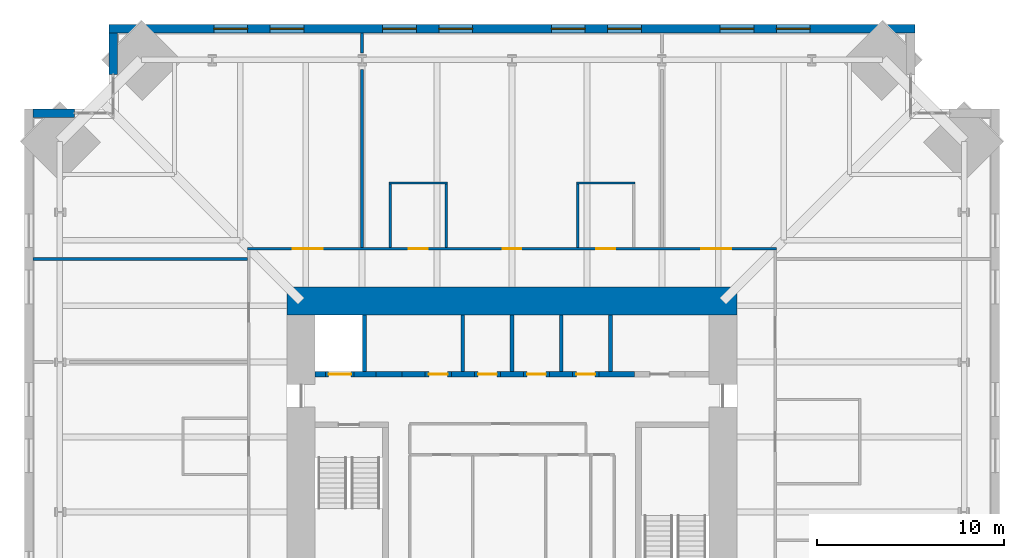
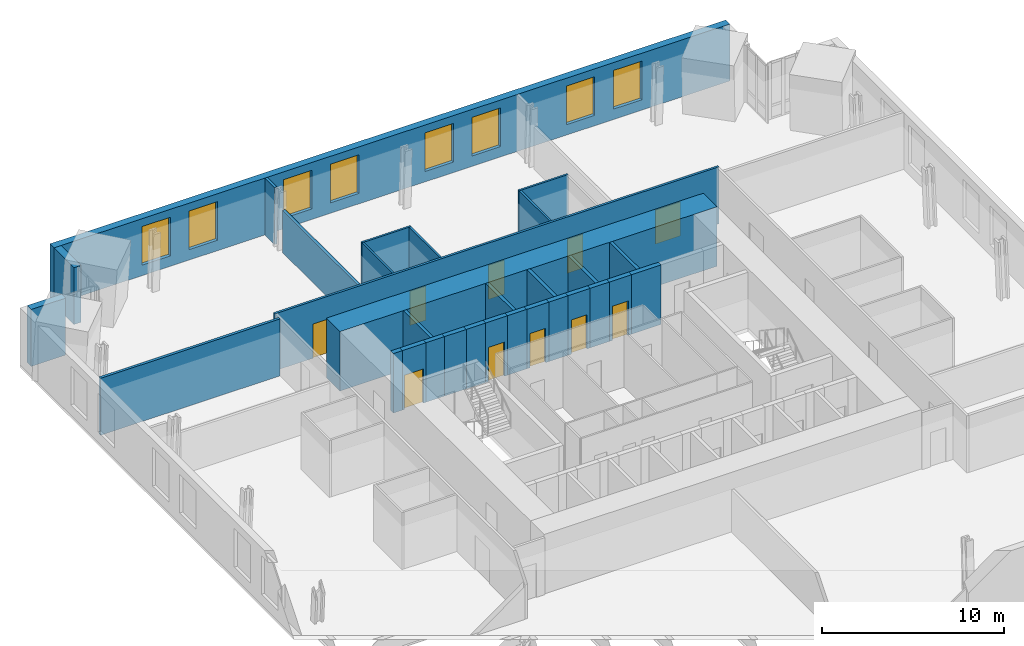
# One storey, part 16 of 18: 31 walls, 10 doors, 8 windows, 18 openings.
"""IFC4 building model written with IfcOpenShell, lengths in metres."""

from ifc_helpers import new_model, si_unit, direction, frame, frame_2d, origin, place, context, subcontext, project, spatial, rectangle, extrude, material, layer, layer_set, type_object, element, fill, save


model = new_model("IFC4")

# Units and contexts
model_context = context("Model", 3, precision=1e-05, world=origin(), true_north=direction((0.0, 1.0)))
body_context = subcontext(model_context, "Body", "Model", "MODEL_VIEW")
ifc_project = project(units=[si_unit("LENGTHUNIT", "METRE"), si_unit("AREAUNIT", "SQUARE_METRE"), si_unit("VOLUMEUNIT", "CUBIC_METRE"), si_unit("PLANEANGLEUNIT", "RADIAN"), si_unit("MASSUNIT", "GRAM", prefix="KILO")], contexts=[model_context])

# Site, building, storey
site_placement = place(None, origin())
site = spatial("IfcSite", under=ifc_project, at=site_placement, CompositionType="ELEMENT")
building_placement = place(site_placement, origin())
building = spatial("IfcBuilding", under=site, at=building_placement, Name="Peilmerk Tower", CompositionType="ELEMENT")
storey_placement = place(building_placement, frame((0.0, 0.0, 167.800048828125)))
storey = spatial("IfcBuildingStorey", under=building, at=storey_placement, Name="L35", CompositionType="ELEMENT", Elevation=167.800048828125)

# Wall, openings, windows
ifc_material_1 = material(Name="Precast concrete C45/55, board-marked finish", Category="concrete")
ifc_layer_1 = layer(ifc_material_1, 0.449951171875)
ifc_layer_set_1 = layer_set([ifc_layer_1], Name="Precast concrete C45/55, board-marked finish")
wall_type_1 = type_object("IfcWallType", Name="EW1 450 precast concrete facade wall, board-marked", PredefinedType="SOLIDWALL", material=ifc_layer_set_1)
wall_1_placement = place(storey_placement, frame((21.5, 25.77490234375, 0.0), z_axis=(0.0, 0.0, 1.0), x_axis=(-1.0, 0.0, 0.0)))
wall_1 = element("IfcWall", 1, at=wall_1_placement, inside=storey, type_object=wall_type_1, Name="Facade wall N L35", PredefinedType="SOLIDWALL", context=body_context, shape_type="SweptSolid", body=[
    extrude(rectangle(XDim=43.0, YDim=0.449951171875, at=frame_2d((21.5, 0.0))), origin(), (0.0, 0.0, 1.0), 3.829833984375),
])
opening_1_placement = place(wall_1_placement, frame((5.60009765625, 0.0, 0.699951171875)))
opening_1 = element("IfcOpeningElement", 2, at=opening_1_placement, cuts=wall_1, Name="Opening W1", PredefinedType="OPENING", context=body_context, shape_type="SweptSolid", body=[
    extrude(rectangle(XDim=1.800048828125, YDim=2.60009765625, at=frame_2d((0.89990234375, 1.300048828125))), frame((0.0, 0.23486328125, 0.0), z_axis=(0.0, -1.0, 0.0), x_axis=(1.0, 0.0, 0.0)), (0.0, 0.0, 1.0), 0.469970703125),
])
opening_2_placement = place(wall_1_placement, frame((8.60009765625, 0.0, 0.699951171875)))
opening_2 = element("IfcOpeningElement", 3, at=opening_2_placement, cuts=wall_1, Name="Opening W1", PredefinedType="OPENING", context=body_context, shape_type="SweptSolid", body=[
    extrude(rectangle(XDim=1.800048828125, YDim=2.60009765625, at=frame_2d((0.89990234375, 1.300048828125))), frame((0.0, 0.23486328125, 0.0), z_axis=(0.0, -1.0, 0.0), x_axis=(1.0, 0.0, 0.0)), (0.0, 0.0, 1.0), 0.469970703125),
])
opening_3_placement = place(wall_1_placement, frame((14.60009765625, 0.0, 0.699951171875)))
opening_3 = element("IfcOpeningElement", 4, at=opening_3_placement, cuts=wall_1, Name="Opening W1", PredefinedType="OPENING", context=body_context, shape_type="SweptSolid", body=[
    extrude(rectangle(XDim=1.800048828125, YDim=2.60009765625, at=frame_2d((0.89990234375, 1.300048828125))), frame((0.0, 0.23486328125, 0.0), z_axis=(0.0, -1.0, 0.0), x_axis=(1.0, 0.0, 0.0)), (0.0, 0.0, 1.0), 0.469970703125),
])
opening_4_placement = place(wall_1_placement, frame((17.60009765625, 0.0, 0.699951171875)))
opening_4 = element("IfcOpeningElement", 5, at=opening_4_placement, cuts=wall_1, Name="Opening W1", PredefinedType="OPENING", context=body_context, shape_type="SweptSolid", body=[
    extrude(rectangle(XDim=1.800048828125, YDim=2.60009765625, at=frame_2d((0.89990234375, 1.300048828125))), frame((0.0, 0.23486328125, 0.0), z_axis=(0.0, -1.0, 0.0), x_axis=(1.0, 0.0, 0.0)), (0.0, 0.0, 1.0), 0.469970703125),
])
opening_5_placement = place(wall_1_placement, frame((23.60009765625, 0.0, 0.699951171875)))
opening_5 = element("IfcOpeningElement", 6, at=opening_5_placement, cuts=wall_1, Name="Opening W1", PredefinedType="OPENING", context=body_context, shape_type="SweptSolid", body=[
    extrude(rectangle(XDim=1.800048828125, YDim=2.60009765625, at=frame_2d((0.89990234375, 1.300048828125))), frame((0.0, 0.23486328125, 0.0), z_axis=(0.0, -1.0, 0.0), x_axis=(1.0, 0.0, 0.0)), (0.0, 0.0, 1.0), 0.469970703125),
])
opening_6_placement = place(wall_1_placement, frame((26.60009765625, 0.0, 0.699951171875)))
opening_6 = element("IfcOpeningElement", 7, at=opening_6_placement, cuts=wall_1, Name="Opening W1", PredefinedType="OPENING", context=body_context, shape_type="SweptSolid", body=[
    extrude(rectangle(XDim=1.800048828125, YDim=2.60009765625, at=frame_2d((0.89990234375, 1.300048828125))), frame((0.0, 0.23486328125, 0.0), z_axis=(0.0, -1.0, 0.0), x_axis=(1.0, 0.0, 0.0)), (0.0, 0.0, 1.0), 0.469970703125),
])
opening_7_placement = place(wall_1_placement, frame((32.60009765625, 0.0, 0.699951171875)))
opening_7 = element("IfcOpeningElement", 8, at=opening_7_placement, cuts=wall_1, Name="Opening W1", PredefinedType="OPENING", context=body_context, shape_type="SweptSolid", body=[
    extrude(rectangle(XDim=1.800048828125, YDim=2.60009765625, at=frame_2d((0.89990234375, 1.300048828125))), frame((0.0, 0.23486328125, 0.0), z_axis=(0.0, -1.0, 0.0), x_axis=(1.0, 0.0, 0.0)), (0.0, 0.0, 1.0), 0.469970703125),
])
opening_8_placement = place(wall_1_placement, frame((35.60009765625, 0.0, 0.699951171875)))
opening_8 = element("IfcOpeningElement", 9, at=opening_8_placement, cuts=wall_1, Name="Opening W1", PredefinedType="OPENING", context=body_context, shape_type="SweptSolid", body=[
    extrude(rectangle(XDim=1.800048828125, YDim=2.60009765625, at=frame_2d((0.89990234375, 1.300048828125))), frame((0.0, 0.23486328125, 0.0), z_axis=(0.0, -1.0, 0.0), x_axis=(1.0, 0.0, 0.0)), (0.0, 0.0, 1.0), 0.469970703125),
])
ifc_material_2 = material(Name="Aluminium frame, clear double glazing", Category="aluminium")
window_type = type_object("IfcWindowType", Name="W1 1800x2600 office window", PartitioningType="SINGLE_PANEL", PredefinedType="WINDOW", material=ifc_material_2)
window_1_placement = place(opening_1_placement, origin())
window_1 = element("IfcWindow", 10, at=window_1_placement, inside=storey, type_object=window_type, Name="Window W1 L35", OverallHeight=2.60009765625, OverallWidth=1.800048828125, PartitioningType="SINGLE_PANEL", PredefinedType="WINDOW", context=body_context, shape_type="SweptSolid", body=[
    extrude(rectangle(XDim=1.800048828125, YDim=2.60009765625, at=frame_2d((0.89990234375, 1.300048828125))), frame((0.0, 0.030029296875, 0.0), z_axis=(0.0, -1.0, 0.0), x_axis=(1.0, 0.0, 0.0)), (0.0, 0.0, 1.0), 0.06005859375),
])
fill(opening_1, window_1)
window_2_placement = place(opening_2_placement, origin())
window_2 = element("IfcWindow", 11, at=window_2_placement, inside=storey, type_object=window_type, Name="Window W1 L35", OverallHeight=2.60009765625, OverallWidth=1.800048828125, PartitioningType="SINGLE_PANEL", PredefinedType="WINDOW", context=body_context, shape_type="SweptSolid", body=[
    extrude(rectangle(XDim=1.800048828125, YDim=2.60009765625, at=frame_2d((0.89990234375, 1.300048828125))), frame((0.0, 0.030029296875, 0.0), z_axis=(0.0, -1.0, 0.0), x_axis=(1.0, 0.0, 0.0)), (0.0, 0.0, 1.0), 0.06005859375),
])
fill(opening_2, window_2)
window_3_placement = place(opening_3_placement, origin())
window_3 = element("IfcWindow", 12, at=window_3_placement, inside=storey, type_object=window_type, Name="Window W1 L35", OverallHeight=2.60009765625, OverallWidth=1.800048828125, PartitioningType="SINGLE_PANEL", PredefinedType="WINDOW", context=body_context, shape_type="SweptSolid", body=[
    extrude(rectangle(XDim=1.800048828125, YDim=2.60009765625, at=frame_2d((0.89990234375, 1.300048828125))), frame((0.0, 0.030029296875, 0.0), z_axis=(0.0, -1.0, 0.0), x_axis=(1.0, 0.0, 0.0)), (0.0, 0.0, 1.0), 0.06005859375),
])
fill(opening_3, window_3)
window_4_placement = place(opening_4_placement, origin())
window_4 = element("IfcWindow", 13, at=window_4_placement, inside=storey, type_object=window_type, Name="Window W1 L35", OverallHeight=2.60009765625, OverallWidth=1.800048828125, PartitioningType="SINGLE_PANEL", PredefinedType="WINDOW", context=body_context, shape_type="SweptSolid", body=[
    extrude(rectangle(XDim=1.800048828125, YDim=2.60009765625, at=frame_2d((0.89990234375, 1.300048828125))), frame((0.0, 0.030029296875, 0.0), z_axis=(0.0, -1.0, 0.0), x_axis=(1.0, 0.0, 0.0)), (0.0, 0.0, 1.0), 0.06005859375),
])
fill(opening_4, window_4)
window_5_placement = place(opening_5_placement, origin())
window_5 = element("IfcWindow", 14, at=window_5_placement, inside=storey, type_object=window_type, Name="Window W1 L35", OverallHeight=2.60009765625, OverallWidth=1.800048828125, PartitioningType="SINGLE_PANEL", PredefinedType="WINDOW", context=body_context, shape_type="SweptSolid", body=[
    extrude(rectangle(XDim=1.800048828125, YDim=2.60009765625, at=frame_2d((0.89990234375, 1.300048828125))), frame((0.0, 0.030029296875, 0.0), z_axis=(0.0, -1.0, 0.0), x_axis=(1.0, 0.0, 0.0)), (0.0, 0.0, 1.0), 0.06005859375),
])
fill(opening_5, window_5)
window_6_placement = place(opening_6_placement, origin())
window_6 = element("IfcWindow", 15, at=window_6_placement, inside=storey, type_object=window_type, Name="Window W1 L35", OverallHeight=2.60009765625, OverallWidth=1.800048828125, PartitioningType="SINGLE_PANEL", PredefinedType="WINDOW", context=body_context, shape_type="SweptSolid", body=[
    extrude(rectangle(XDim=1.800048828125, YDim=2.60009765625, at=frame_2d((0.89990234375, 1.300048828125))), frame((0.0, 0.030029296875, 0.0), z_axis=(0.0, -1.0, 0.0), x_axis=(1.0, 0.0, 0.0)), (0.0, 0.0, 1.0), 0.06005859375),
])
fill(opening_6, window_6)
window_7_placement = place(opening_7_placement, origin())
window_7 = element("IfcWindow", 16, at=window_7_placement, inside=storey, type_object=window_type, Name="Window W1 L35", OverallHeight=2.60009765625, OverallWidth=1.800048828125, PartitioningType="SINGLE_PANEL", PredefinedType="WINDOW", context=body_context, shape_type="SweptSolid", body=[
    extrude(rectangle(XDim=1.800048828125, YDim=2.60009765625, at=frame_2d((0.89990234375, 1.300048828125))), frame((0.0, 0.030029296875, 0.0), z_axis=(0.0, -1.0, 0.0), x_axis=(1.0, 0.0, 0.0)), (0.0, 0.0, 1.0), 0.06005859375),
])
fill(opening_7, window_7)
window_8_placement = place(opening_8_placement, origin())
window_8 = element("IfcWindow", 17, at=window_8_placement, inside=storey, type_object=window_type, Name="Window W1 L35", OverallHeight=2.60009765625, OverallWidth=1.800048828125, PartitioningType="SINGLE_PANEL", PredefinedType="WINDOW", context=body_context, shape_type="SweptSolid", body=[
    extrude(rectangle(XDim=1.800048828125, YDim=2.60009765625, at=frame_2d((0.89990234375, 1.300048828125))), frame((0.0, 0.030029296875, 0.0), z_axis=(0.0, -1.0, 0.0), x_axis=(1.0, 0.0, 0.0)), (0.0, 0.0, 1.0), 0.06005859375),
])
fill(opening_8, window_8)

# Walls
for number, where, z_axis, x_axis, name in (
    (18, (-21.27490234375, 23.353759765625, 0.0), (0.0, 0.0, 1.0), (0.0, 1.0, 0.0), "Facade wall NWA L35"),
    (19, (-23.353759765625, 21.27490234375, 0.0), (0.0, 0.0, 1.0), (-1.0, 0.0, 0.0), "Facade wall NWB L35"),
):
    element("IfcWall", number, at=place(storey_placement, frame(where, z_axis=z_axis, x_axis=x_axis)), inside=storey, type_object=wall_type_1, Name=name, PredefinedType="SOLIDWALL", context=body_context, shape_type="SweptSolid", body=[
        extrude(rectangle(XDim=2.1962890625, YDim=0.449951171875, at=frame_2d((1.09814453125, 0.0))), origin(), (0.0, 0.0, 1.0), 3.829833984375),
    ])

# Wall, openings, doors
ifc_material_3 = material(Name="Calcium silicate block", Category="masonry")
ifc_layer_2 = layer(ifc_material_3, 0.14990234375)
ifc_layer_set_2 = layer_set([ifc_layer_2], Name="Calcium silicate block")
wall_type_2 = type_object("IfcWallType", Name="IW1 150 corridor partition, EI 60", PredefinedType="PARTITIONING", material=ifc_layer_set_2)
wall_2_placement = place(storey_placement, frame((-14.125, 14.050048828125, 0.0), z_axis=(0.0, 0.0, 1.0), x_axis=(1.0, 0.0, 0.0)))
wall_2 = element("IfcWall", 20, at=wall_2_placement, inside=storey, type_object=wall_type_2, Name="Corridor wall N L35", PredefinedType="PARTITIONING", context=body_context, shape_type="SweptSolid", body=[
    extrude(rectangle(XDim=28.25, YDim=0.14990234375, at=frame_2d((14.125, 0.0))), origin(), (0.0, 0.0, 1.0), 3.829833984375),
])
opening_9_placement = place(wall_2_placement, frame((2.425048828125, 0.0, 0.0)))
opening_9 = element("IfcOpeningElement", 21, at=opening_9_placement, cuts=wall_2, Name="Opening D9", PredefinedType="OPENING", context=body_context, shape_type="SweptSolid", body=[
    extrude(rectangle(XDim=1.60009765625, YDim=2.300048828125, at=frame_2d((0.800048828125, 1.14990234375))), frame((0.0, 0.0849609375, 0.0), z_axis=(0.0, -1.0, 0.0), x_axis=(1.0, 0.0, 0.0)), (0.0, 0.0, 1.0), 0.169921875),
])
opening_10_placement = place(wall_2_placement, frame((13.625, 0.0, 0.0)))
opening_10 = element("IfcOpeningElement", 22, at=opening_10_placement, cuts=wall_2, Name="Opening D1", PredefinedType="OPENING", context=body_context, shape_type="SweptSolid", body=[
    extrude(rectangle(XDim=1.0, YDim=2.300048828125, at=frame_2d((0.5, 1.14990234375))), frame((0.0, 0.0849609375, 0.0), z_axis=(0.0, -1.0, 0.0), x_axis=(1.0, 0.0, 0.0)), (0.0, 0.0, 1.0), 0.169921875),
])
opening_11_placement = place(wall_2_placement, frame((24.22509765625, 0.0, 0.0)))
opening_11 = element("IfcOpeningElement", 23, at=opening_11_placement, cuts=wall_2, Name="Opening D9", PredefinedType="OPENING", context=body_context, shape_type="SweptSolid", body=[
    extrude(rectangle(XDim=1.60009765625, YDim=2.300048828125, at=frame_2d((0.800048828125, 1.14990234375))), frame((0.0, 0.0849609375, 0.0), z_axis=(0.0, -1.0, 0.0), x_axis=(1.0, 0.0, 0.0)), (0.0, 0.0, 1.0), 0.169921875),
])
opening_12_placement = place(wall_2_placement, frame((8.625, 0.0, 0.0)))
opening_12 = element("IfcOpeningElement", 24, at=opening_12_placement, cuts=wall_2, Name="Opening D1", PredefinedType="OPENING", context=body_context, shape_type="SweptSolid", body=[
    extrude(rectangle(XDim=1.0, YDim=2.300048828125, at=frame_2d((0.5, 1.14990234375))), frame((0.0, 0.0849609375, 0.0), z_axis=(0.0, -1.0, 0.0), x_axis=(1.0, 0.0, 0.0)), (0.0, 0.0, 1.0), 0.169921875),
])
opening_13_placement = place(wall_2_placement, frame((18.625, 0.0, 0.0)))
opening_13 = element("IfcOpeningElement", 25, at=opening_13_placement, cuts=wall_2, Name="Opening D1", PredefinedType="OPENING", context=body_context, shape_type="SweptSolid", body=[
    extrude(rectangle(XDim=1.0, YDim=2.300048828125, at=frame_2d((0.5, 1.14990234375))), frame((0.0, 0.0849609375, 0.0), z_axis=(0.0, -1.0, 0.0), x_axis=(1.0, 0.0, 0.0)), (0.0, 0.0, 1.0), 0.169921875),
])
ifc_material_4 = material(Name="Timber door in steel frame", Category="steel")
door_type_1 = type_object("IfcDoorType", Name="D1 1000x2300 room door, EI2 30", OperationType="SINGLE_SWING_LEFT", PredefinedType="DOOR", material=ifc_material_4)
door_1_placement = place(opening_10_placement, origin())
door_1 = element("IfcDoor", 26, at=door_1_placement, inside=storey, type_object=door_type_1, Name="Door Project room L35", OperationType="SINGLE_SWING_LEFT", OverallHeight=2.300048828125, OverallWidth=1.0, PredefinedType="DOOR", context=body_context, shape_type="SweptSolid", body=[
    extrude(rectangle(XDim=1.0, YDim=2.300048828125, at=frame_2d((0.5, 1.14990234375))), frame((0.0, 0.02490234375, 0.0), z_axis=(0.0, -1.0, 0.0), x_axis=(1.0, 0.0, 0.0)), (0.0, 0.0, 1.0), 0.050048828125),
])
fill(opening_10, door_1)
door_2_placement = place(opening_12_placement, origin())
door_2 = element("IfcDoor", 27, at=door_2_placement, inside=storey, type_object=door_type_1, Name="Door Focus room L35", OperationType="SINGLE_SWING_LEFT", OverallHeight=2.300048828125, OverallWidth=1.0, PredefinedType="DOOR", context=body_context, shape_type="SweptSolid", body=[
    extrude(rectangle(XDim=1.0, YDim=2.300048828125, at=frame_2d((0.5, 1.14990234375))), frame((0.0, 0.02490234375, 0.0), z_axis=(0.0, -1.0, 0.0), x_axis=(1.0, 0.0, 0.0)), (0.0, 0.0, 1.0), 0.050048828125),
])
fill(opening_12, door_2)
door_3_placement = place(opening_13_placement, origin())
door_3 = element("IfcDoor", 28, at=door_3_placement, inside=storey, type_object=door_type_1, Name="Door Focus room L35", OperationType="SINGLE_SWING_LEFT", OverallHeight=2.300048828125, OverallWidth=1.0, PredefinedType="DOOR", context=body_context, shape_type="SweptSolid", body=[
    extrude(rectangle(XDim=1.0, YDim=2.300048828125, at=frame_2d((0.5, 1.14990234375))), frame((0.0, 0.02490234375, 0.0), z_axis=(0.0, -1.0, 0.0), x_axis=(1.0, 0.0, 0.0)), (0.0, 0.0, 1.0), 0.050048828125),
])
fill(opening_13, door_3)
ifc_material_5 = material(Name="Glazed timber door in steel frame", Category="steel")
door_type_2 = type_object("IfcDoorType", Name="D9 1600x2300 glazed double door, EI2 30", OperationType="DOUBLE_DOOR_SINGLE_SWING", PredefinedType="DOOR", material=ifc_material_5)
door_4_placement = place(opening_9_placement, origin())
door_4 = element("IfcDoor", 29, at=door_4_placement, inside=storey, type_object=door_type_2, Name="Door Open workspace L35", OperationType="DOUBLE_DOOR_SINGLE_SWING", OverallHeight=2.300048828125, OverallWidth=1.60009765625, PredefinedType="DOOR", context=body_context, shape_type="SweptSolid", body=[
    extrude(rectangle(XDim=1.60009765625, YDim=2.300048828125, at=frame_2d((0.800048828125, 1.14990234375))), frame((0.0, 0.02490234375, 0.0), z_axis=(0.0, -1.0, 0.0), x_axis=(1.0, 0.0, 0.0)), (0.0, 0.0, 1.0), 0.050048828125),
])
fill(opening_9, door_4)
door_5_placement = place(opening_11_placement, origin())
door_5 = element("IfcDoor", 30, at=door_5_placement, inside=storey, type_object=door_type_2, Name="Door Open workspace L35", OperationType="DOUBLE_DOOR_SINGLE_SWING", OverallHeight=2.300048828125, OverallWidth=1.60009765625, PredefinedType="DOOR", context=body_context, shape_type="SweptSolid", body=[
    extrude(rectangle(XDim=1.60009765625, YDim=2.300048828125, at=frame_2d((0.800048828125, 1.14990234375))), frame((0.0, 0.02490234375, 0.0), z_axis=(0.0, -1.0, 0.0), x_axis=(1.0, 0.0, 0.0)), (0.0, 0.0, 1.0), 0.050048828125),
])
fill(opening_11, door_5)

# Walls
ifc_material_6 = material(Name="Plasterboard on steel studs, double boarded with mineral wool", Category="steel")
ifc_layer_3 = layer(ifc_material_6, 0.125)
ifc_layer_set_3 = layer_set([ifc_layer_3], Name="Plasterboard on steel studs, double boarded with mineral wool")
wall_type_3 = type_object("IfcWallType", Name="IW7 125 acoustic partition, EI 30", PredefinedType="PARTITIONING", material=ifc_layer_set_3)
wall_3_placement = place(storey_placement, frame((-6.5625, 17.550048828125, 0.0), z_axis=(0.0, 0.0, 1.0), x_axis=(1.0, 0.0, 0.0)))
element("IfcWall", 31, at=wall_3_placement, inside=storey, type_object=wall_type_3, Name="Acoustic partition Focus room L35", PredefinedType="PARTITIONING", context=body_context, shape_type="SweptSolid", body=[
    extrude(rectangle(XDim=3.125, YDim=0.125, at=frame_2d((1.5625, 0.0))), origin(), (0.0, 0.0, 1.0), 3.829833984375),
])
for number, where, z_axis, x_axis, name in (
    (32, (-6.5, 14.125, 0.0), (0.0, 0.0, 1.0), (0.0, 1.0, 0.0), "Acoustic partition Focus room L35"),
    (33, (-3.5, 14.125, 0.0), (0.0, 0.0, 1.0), (0.0, 1.0, 0.0), "Acoustic partition Focus room L35"),
):
    element("IfcWall", number, at=place(storey_placement, frame(where, z_axis=z_axis, x_axis=x_axis)), inside=storey, type_object=wall_type_3, Name=name, PredefinedType="PARTITIONING", context=body_context, shape_type="SweptSolid", body=[
        extrude(rectangle(XDim=3.362548828125, YDim=0.125, at=frame_2d((1.68115234375, 0.0))), origin(), (0.0, 0.0, 1.0), 3.829833984375),
    ])
wall_4_placement = place(storey_placement, frame((3.4375, 17.550048828125, 0.0), z_axis=(0.0, 0.0, 1.0), x_axis=(1.0, 0.0, 0.0)))
element("IfcWall", 34, at=wall_4_placement, inside=storey, type_object=wall_type_3, Name="Acoustic partition Focus room L35", PredefinedType="PARTITIONING", context=body_context, shape_type="SweptSolid", body=[
    extrude(rectangle(XDim=3.125, YDim=0.125, at=frame_2d((1.5625, 0.0))), origin(), (0.0, 0.0, 1.0), 3.829833984375),
])
wall_5_placement = place(storey_placement, frame((3.5, 14.125, 0.0), z_axis=(0.0, 0.0, 1.0), x_axis=(0.0, 1.0, 0.0)))
element("IfcWall", 35, at=wall_5_placement, inside=storey, type_object=wall_type_3, Name="Acoustic partition Focus room L35", PredefinedType="PARTITIONING", context=body_context, shape_type="SweptSolid", body=[
    extrude(rectangle(XDim=3.362548828125, YDim=0.125, at=frame_2d((1.68115234375, 0.0))), origin(), (0.0, 0.0, 1.0), 3.829833984375),
])
ifc_layer_4 = layer(ifc_material_3, 0.175048828125)
ifc_layer_set_4 = layer_set([ifc_layer_4], Name="Calcium silicate block")
wall_type_4 = type_object("IfcWallType", Name="IW8 175 tenant separating wall, EI 60", PredefinedType="PARTITIONING", material=ifc_layer_set_4)
wall_6_placement = place(storey_placement, frame((-25.550048828125, 13.5, 0.0), z_axis=(0.0, 0.0, 1.0), x_axis=(1.0, 0.0, 0.0)))
element("IfcWall", 36, at=wall_6_placement, inside=storey, type_object=wall_type_4, Name="Tenant separating wall NW L35", PredefinedType="PARTITIONING", context=body_context, shape_type="SweptSolid", body=[
    extrude(rectangle(XDim=11.425048828125, YDim=0.175048828125, at=frame_2d((5.71240234375, 0.0))), origin(), (0.0, 0.0, 1.0), 3.829833984375),
])
wall_7_placement = place(storey_placement, frame((-8.0, 14.125, 0.0), z_axis=(0.0, 0.0, 1.0), x_axis=(0.0, 1.0, 0.0)))
element("IfcWall", 37, at=wall_7_placement, inside=storey, type_object=wall_type_4, Name="Tenant separating wall N1 L35", PredefinedType="PARTITIONING", context=body_context, shape_type="SweptSolid", body=[
    extrude(rectangle(XDim=9.48046875, YDim=0.175048828125, at=frame_2d((4.740234375, 0.0))), origin(), (0.0, 0.0, 1.0), 2.83984375),
])
wall_8_placement = place(storey_placement, frame((-8.0, 24.49462890625, 0.0), z_axis=(0.0, 0.0, 1.0), x_axis=(0.0, 1.0, 0.0)))
element("IfcWall", 38, at=wall_8_placement, inside=storey, type_object=wall_type_4, Name="Tenant separating wall N1b L35", PredefinedType="PARTITIONING", context=body_context, shape_type="SweptSolid", body=[
    extrude(rectangle(XDim=1.055419921875, YDim=0.175048828125, at=frame_2d((0.52783203125, 0.0))), origin(), (0.0, 0.0, 1.0), 3.829833984375),
])
ifc_layer_5 = layer(ifc_material_3, 0.199951171875)
ifc_layer_set_5 = layer_set([ifc_layer_5], Name="Calcium silicate block")
wall_type_5 = type_object("IfcWallType", Name="SH1 200 shaft dividing wall, EI 120", PredefinedType="PARTITIONING", material=ifc_layer_set_5)
for number, where, z_axis, x_axis, name in (
    (39, (-7.875, 7.5, 0.0), (0.0, 0.0, 1.0), (0.0, 1.0, 0.0), "Shaft wall N FL1 L35"),
    (40, (-2.625, 7.5, 0.0), (0.0, 0.0, 1.0), (0.0, 1.0, 0.0), "Shaft wall N A2 L35"),
    (41, (0.0, 7.5, 0.0), (0.0, 0.0, 1.0), (0.0, 1.0, 0.0), "Shaft wall N A3 L35"),
    (42, (2.625, 7.5, 0.0), (0.0, 0.0, 1.0), (0.0, 1.0, 0.0), "Shaft wall N S1 L35"),
    (43, (5.25, 7.5, 0.0), (0.0, 0.0, 1.0), (0.0, 1.0, 0.0), "Shaft wall N S2 L35"),
):
    element("IfcWall", number, at=place(storey_placement, frame(where, z_axis=z_axis, x_axis=x_axis)), inside=storey, type_object=wall_type_5, Name=name, PredefinedType="PARTITIONING", context=body_context, shape_type="SweptSolid", body=[
        extrude(rectangle(XDim=3.0, YDim=0.199951171875, at=frame_2d((1.5, 0.0))), origin(), (0.0, 0.0, 1.0), 4.0),
    ])

# Wall, opening, door
ifc_layer_6 = layer(ifc_material_3, 0.300048828125)
ifc_layer_set_6 = layer_set([ifc_layer_6], Name="Calcium silicate block")
wall_type_6 = type_object("IfcWallType", Name="SH2 300 lift landing door panel, EI 120", PredefinedType="PARTITIONING", material=ifc_layer_set_6)
wall_9_placement = place(storey_placement, frame((-9.9375, 7.35009765625, 0.0), z_axis=(0.0, 0.0, 1.0), x_axis=(1.0, 0.0, 0.0)))
wall_9 = element("IfcWall", 44, at=wall_9_placement, inside=storey, type_object=wall_type_6, Name="Lift door panel N FL1 L35", PredefinedType="PARTITIONING", context=body_context, shape_type="SweptSolid", body=[
    extrude(rectangle(XDim=1.5, YDim=0.300048828125, at=frame_2d((0.75, 0.0))), origin(), (0.0, 0.0, 1.0), 4.0),
])
opening_14_placement = place(wall_9_placement, frame((0.14990234375, 0.0, 0.0)))
opening_14 = element("IfcOpeningElement", 45, at=opening_14_placement, cuts=wall_9, Name="Opening LD2", PredefinedType="OPENING", context=body_context, shape_type="SweptSolid", body=[
    extrude(rectangle(XDim=1.199951171875, YDim=2.300048828125, at=frame_2d((0.60009765625, 1.14990234375))), frame((0.0, 0.159912109375, 0.0), z_axis=(0.0, -1.0, 0.0), x_axis=(1.0, 0.0, 0.0)), (0.0, 0.0, 1.0), 0.320068359375),
])
ifc_material_7 = material(Name="Stainless steel landing door", Category="steel")
door_type_3 = type_object("IfcDoorType", Name="LD2 1200x2300 lift landing door, sliding, EI2 60", OperationType="SLIDING_TO_LEFT", PredefinedType="DOOR", material=ifc_material_7)
door_6_placement = place(opening_14_placement, frame((1.199951171875, 0.0, 0.0), z_axis=(0.0, 0.0, 1.0), x_axis=(-1.0, 0.0, 0.0)))
door_6 = element("IfcDoor", 46, at=door_6_placement, inside=storey, type_object=door_type_3, Name="Lift landing door FL1 L35", OperationType="SLIDING_TO_LEFT", OverallHeight=2.300048828125, OverallWidth=1.199951171875, PredefinedType="DOOR", context=body_context, shape_type="SweptSolid", body=[
    extrude(rectangle(XDim=1.199951171875, YDim=2.300048828125, at=frame_2d((0.60009765625, 1.14990234375))), frame((0.0, 0.02490234375, 0.0), z_axis=(0.0, -1.0, 0.0), x_axis=(1.0, 0.0, 0.0)), (0.0, 0.0, 1.0), 0.050048828125),
])
fill(opening_14, door_6)

# Wall
wall_10_placement = place(storey_placement, frame((-7.262451171875, 7.35009765625, 0.0), z_axis=(0.0, 0.0, 1.0), x_axis=(1.0, 0.0, 0.0)))
element("IfcWall", 47, at=wall_10_placement, inside=storey, type_object=wall_type_6, Name="Lift door panel N A1 L35", PredefinedType="PARTITIONING", context=body_context, shape_type="SweptSolid", body=[
    extrude(rectangle(XDim=1.39990234375, YDim=0.300048828125, at=frame_2d((0.699951171875, 0.0))), origin(), (0.0, 0.0, 1.0), 4.0),
])

# Wall, opening, door
wall_11_placement = place(storey_placement, frame((-4.637451171875, 7.35009765625, 0.0), z_axis=(0.0, 0.0, 1.0), x_axis=(1.0, 0.0, 0.0)))
wall_11 = element("IfcWall", 48, at=wall_11_placement, inside=storey, type_object=wall_type_6, Name="Lift door panel N A2 L35", PredefinedType="PARTITIONING", context=body_context, shape_type="SweptSolid", body=[
    extrude(rectangle(XDim=1.39990234375, YDim=0.300048828125, at=frame_2d((0.699951171875, 0.0))), origin(), (0.0, 0.0, 1.0), 4.0),
])
opening_15_placement = place(wall_11_placement, frame((0.199951171875, 0.0, 0.0)))
opening_15 = element("IfcOpeningElement", 49, at=opening_15_placement, cuts=wall_11, Name="Opening D10", PredefinedType="OPENING", context=body_context, shape_type="SweptSolid", body=[
    extrude(rectangle(XDim=1.0, YDim=2.300048828125, at=frame_2d((0.5, 1.14990234375))), frame((0.0, 0.159912109375, 0.0), z_axis=(0.0, -1.0, 0.0), x_axis=(1.0, 0.0, 0.0)), (0.0, 0.0, 1.0), 0.320068359375),
])
ifc_material_8 = material(Name="Steel door in steel frame", Category="steel")
door_type_4 = type_object("IfcDoorType", Name="D10 1000x2300 core room door, EI2 60", OperationType="SINGLE_SWING_RIGHT", PredefinedType="DOOR", material=ifc_material_8)
door_7_placement = place(opening_15_placement, origin())
door_7 = element("IfcDoor", 50, at=door_7_placement, inside=storey, type_object=door_type_4, Name="Door Waste room L35", OperationType="SINGLE_SWING_RIGHT", OverallHeight=2.300048828125, OverallWidth=1.0, PredefinedType="DOOR", context=body_context, shape_type="SweptSolid", body=[
    extrude(rectangle(XDim=1.0, YDim=2.300048828125, at=frame_2d((0.5, 1.14990234375))), frame((0.0, 0.02490234375, 0.0), z_axis=(0.0, -1.0, 0.0), x_axis=(1.0, 0.0, 0.0)), (0.0, 0.0, 1.0), 0.050048828125),
])
fill(opening_15, door_7)

wall_12_placement = place(storey_placement, frame((-2.012451171875, 7.35009765625, 0.0), z_axis=(0.0, 0.0, 1.0), x_axis=(1.0, 0.0, 0.0)))
wall_12 = element("IfcWall", 51, at=wall_12_placement, inside=storey, type_object=wall_type_6, Name="Lift door panel N A3 L35", PredefinedType="PARTITIONING", context=body_context, shape_type="SweptSolid", body=[
    extrude(rectangle(XDim=1.39990234375, YDim=0.300048828125, at=frame_2d((0.699951171875, 0.0))), origin(), (0.0, 0.0, 1.0), 4.0),
])
opening_16_placement = place(wall_12_placement, frame((0.199951171875, 0.0, 0.0)))
opening_16 = element("IfcOpeningElement", 52, at=opening_16_placement, cuts=wall_12, Name="Opening D10", PredefinedType="OPENING", context=body_context, shape_type="SweptSolid", body=[
    extrude(rectangle(XDim=1.0, YDim=2.300048828125, at=frame_2d((0.5, 1.14990234375))), frame((0.0, 0.159912109375, 0.0), z_axis=(0.0, -1.0, 0.0), x_axis=(1.0, 0.0, 0.0)), (0.0, 0.0, 1.0), 0.320068359375),
])
door_8_placement = place(opening_16_placement, origin())
door_8 = element("IfcDoor", 53, at=door_8_placement, inside=storey, type_object=door_type_4, Name="Door Electrical room L35", OperationType="SINGLE_SWING_RIGHT", OverallHeight=2.300048828125, OverallWidth=1.0, PredefinedType="DOOR", context=body_context, shape_type="SweptSolid", body=[
    extrude(rectangle(XDim=1.0, YDim=2.300048828125, at=frame_2d((0.5, 1.14990234375))), frame((0.0, 0.02490234375, 0.0), z_axis=(0.0, -1.0, 0.0), x_axis=(1.0, 0.0, 0.0)), (0.0, 0.0, 1.0), 0.050048828125),
])
fill(opening_16, door_8)

wall_13_placement = place(storey_placement, frame((0.612548828125, 7.35009765625, 0.0), z_axis=(0.0, 0.0, 1.0), x_axis=(1.0, 0.0, 0.0)))
wall_13 = element("IfcWall", 54, at=wall_13_placement, inside=storey, type_object=wall_type_6, Name="Lift door panel N S1 L35", PredefinedType="PARTITIONING", context=body_context, shape_type="SweptSolid", body=[
    extrude(rectangle(XDim=1.39990234375, YDim=0.300048828125, at=frame_2d((0.699951171875, 0.0))), origin(), (0.0, 0.0, 1.0), 4.0),
])
opening_17_placement = place(wall_13_placement, frame((0.199951171875, 0.0, 0.0)))
opening_17 = element("IfcOpeningElement", 55, at=opening_17_placement, cuts=wall_13, Name="Opening D10", PredefinedType="OPENING", context=body_context, shape_type="SweptSolid", body=[
    extrude(rectangle(XDim=1.0, YDim=2.300048828125, at=frame_2d((0.5, 1.14990234375))), frame((0.0, 0.159912109375, 0.0), z_axis=(0.0, -1.0, 0.0), x_axis=(1.0, 0.0, 0.0)), (0.0, 0.0, 1.0), 0.320068359375),
])
door_9_placement = place(opening_17_placement, origin())
door_9 = element("IfcDoor", 56, at=door_9_placement, inside=storey, type_object=door_type_4, Name="Door Water meter room L35", OperationType="SINGLE_SWING_RIGHT", OverallHeight=2.300048828125, OverallWidth=1.0, PredefinedType="DOOR", context=body_context, shape_type="SweptSolid", body=[
    extrude(rectangle(XDim=1.0, YDim=2.300048828125, at=frame_2d((0.5, 1.14990234375))), frame((0.0, 0.02490234375, 0.0), z_axis=(0.0, -1.0, 0.0), x_axis=(1.0, 0.0, 0.0)), (0.0, 0.0, 1.0), 0.050048828125),
])
fill(opening_17, door_9)

wall_14_placement = place(storey_placement, frame((3.237548828125, 7.35009765625, 0.0), z_axis=(0.0, 0.0, 1.0), x_axis=(1.0, 0.0, 0.0)))
wall_14 = element("IfcWall", 57, at=wall_14_placement, inside=storey, type_object=wall_type_6, Name="Lift door panel N S2 L35", PredefinedType="PARTITIONING", context=body_context, shape_type="SweptSolid", body=[
    extrude(rectangle(XDim=1.39990234375, YDim=0.300048828125, at=frame_2d((0.699951171875, 0.0))), origin(), (0.0, 0.0, 1.0), 4.0),
])
opening_18_placement = place(wall_14_placement, frame((0.199951171875, 0.0, 0.0)))
opening_18 = element("IfcOpeningElement", 58, at=opening_18_placement, cuts=wall_14, Name="Opening D10", PredefinedType="OPENING", context=body_context, shape_type="SweptSolid", body=[
    extrude(rectangle(XDim=1.0, YDim=2.300048828125, at=frame_2d((0.5, 1.14990234375))), frame((0.0, 0.159912109375, 0.0), z_axis=(0.0, -1.0, 0.0), x_axis=(1.0, 0.0, 0.0)), (0.0, 0.0, 1.0), 0.320068359375),
])
door_10_placement = place(opening_18_placement, origin())
door_10 = element("IfcDoor", 59, at=door_10_placement, inside=storey, type_object=door_type_4, Name="Door Staff WC L35", OperationType="SINGLE_SWING_RIGHT", OverallHeight=2.300048828125, OverallWidth=1.0, PredefinedType="DOOR", context=body_context, shape_type="SweptSolid", body=[
    extrude(rectangle(XDim=1.0, YDim=2.300048828125, at=frame_2d((0.5, 1.14990234375))), frame((0.0, 0.02490234375, 0.0), z_axis=(0.0, -1.0, 0.0), x_axis=(1.0, 0.0, 0.0)), (0.0, 0.0, 1.0), 0.050048828125),
])
fill(opening_18, door_10)

# Walls
ifc_material_9 = material(Name="Concrete C55/67", Category="concrete")
ifc_layer_7 = layer(ifc_material_9, 1.5)
ifc_layer_set_7 = layer_set([ifc_layer_7], Name="Concrete C55/67")
wall_type_7 = type_object("IfcWallType", Name="SW1 1500 core wall", PredefinedType="SHEAR", material=ifc_layer_set_7)
wall_15_placement = place(storey_placement, frame((-12.0, 11.25, 0.0), z_axis=(0.0, 0.0, 1.0), x_axis=(1.0, 0.0, 0.0)))
element("IfcWall", 60, at=wall_15_placement, inside=storey, type_object=wall_type_7, Name="Core wall N L35", PredefinedType="SHEAR", context=body_context, shape_type="SweptSolid", body=[
    extrude(rectangle(XDim=24.0, YDim=1.5, at=frame_2d((12.0, 0.0))), origin(), (0.0, 0.0, 1.0), 4.0),
])
ifc_layer_8 = layer(ifc_material_9, 0.300048828125)
ifc_layer_set_8 = layer_set([ifc_layer_8], Name="Concrete C55/67")
wall_type_8 = type_object("IfcWallType", Name="SW2 300 lift bank pier", PredefinedType="SHEAR", material=ifc_layer_set_8)
wall_16_placement = place(storey_placement, frame((-10.5, 7.35009765625, 0.0), z_axis=(0.0, 0.0, 1.0), x_axis=(1.0, 0.0, 0.0)))
element("IfcWall", 61, at=wall_16_placement, inside=storey, type_object=wall_type_8, Name="Lift bank pier N L35", PredefinedType="SHEAR", context=body_context, shape_type="SweptSolid", body=[
    extrude(rectangle(XDim=0.5625, YDim=0.300048828125, at=frame_2d((0.28125, 0.0))), origin(), (0.0, 0.0, 1.0), 4.0),
])
wall_17_placement = place(storey_placement, frame((-8.4375, 7.35009765625, 0.0), z_axis=(0.0, 0.0, 1.0), x_axis=(1.0, 0.0, 0.0)))
element("IfcWall", 62, at=wall_17_placement, inside=storey, type_object=wall_type_8, Name="Lift bank pier N L35", PredefinedType="SHEAR", context=body_context, shape_type="SweptSolid", body=[
    extrude(rectangle(XDim=1.175048828125, YDim=0.300048828125, at=frame_2d((0.58740234375, 0.0))), origin(), (0.0, 0.0, 1.0), 4.0),
])
for number, where, z_axis, x_axis, name in (
    (63, (-5.862548828125, 7.35009765625, 0.0), (0.0, 0.0, 1.0), (1.0, 0.0, 0.0), "Lift bank pier N L35"),
    (64, (-3.237548828125, 7.35009765625, 0.0), (0.0, 0.0, 1.0), (1.0, 0.0, 0.0), "Lift bank pier N L35"),
    (65, (-0.612548828125, 7.35009765625, 0.0), (0.0, 0.0, 1.0), (1.0, 0.0, 0.0), "Lift bank pier N L35"),
    (66, (2.012451171875, 7.35009765625, 0.0), (0.0, 0.0, 1.0), (1.0, 0.0, 0.0), "Lift bank pier N L35"),
):
    element("IfcWall", number, at=place(storey_placement, frame(where, z_axis=z_axis, x_axis=x_axis)), inside=storey, type_object=wall_type_8, Name=name, PredefinedType="SHEAR", context=body_context, shape_type="SweptSolid", body=[
        extrude(rectangle(XDim=1.22509765625, YDim=0.300048828125, at=frame_2d((0.612548828125, 0.0))), origin(), (0.0, 0.0, 1.0), 4.0),
    ])
wall_18_placement = place(storey_placement, frame((4.637451171875, 7.35009765625, 0.0), z_axis=(0.0, 0.0, 1.0), x_axis=(1.0, 0.0, 0.0)))
element("IfcWall", 67, at=wall_18_placement, inside=storey, type_object=wall_type_8, Name="Lift bank pier N L35", PredefinedType="SHEAR", context=body_context, shape_type="SweptSolid", body=[
    extrude(rectangle(XDim=1.887451171875, YDim=0.300048828125, at=frame_2d((0.94384765625, 0.0))), origin(), (0.0, 0.0, 1.0), 4.0),
])

save(model, "model.ifc")
